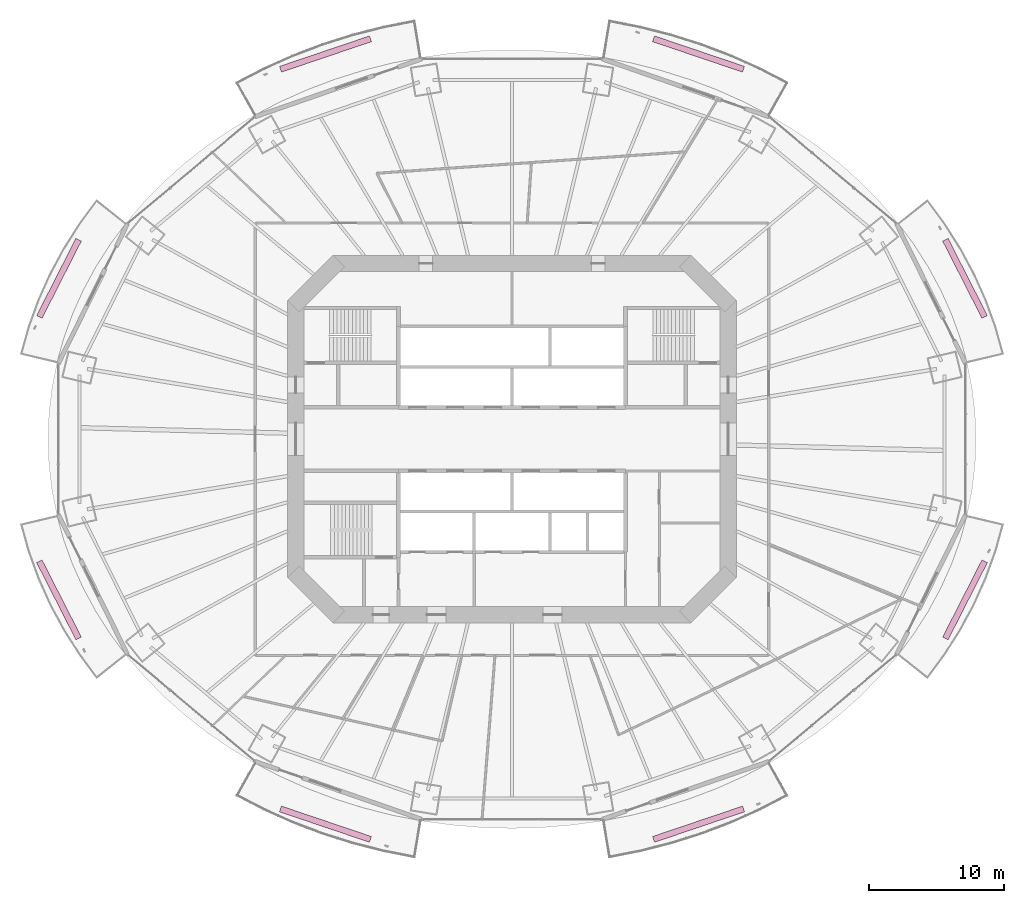
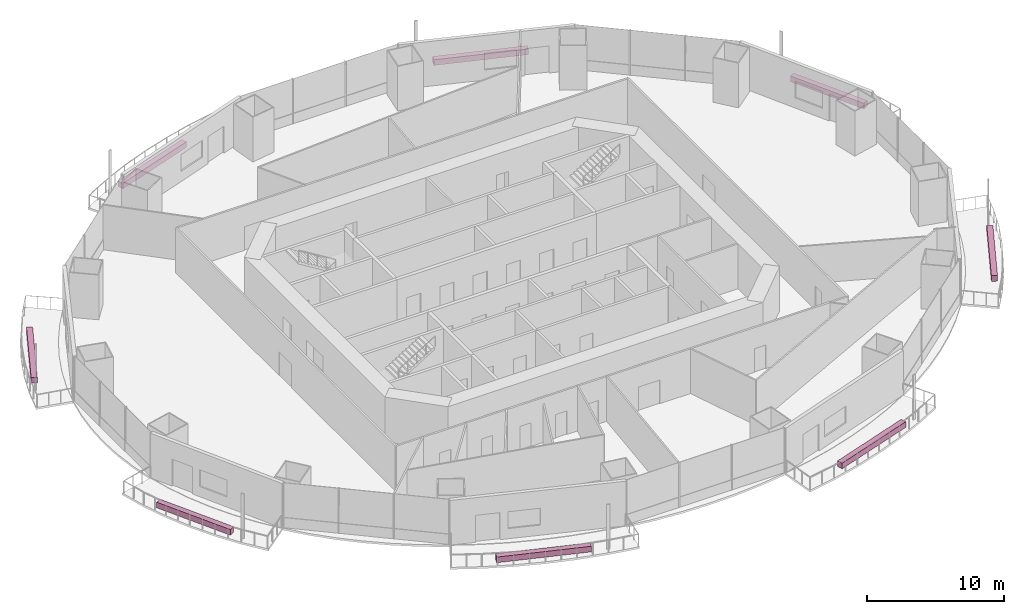
# One storey, part 22 of 22: 8 furnishings.
"""IFC4 building model written with IfcOpenShell, lengths in metres."""

from ifc_helpers import new_model, si_unit, direction, frame, origin, origin_2d, place, context, subcontext, project, spatial, rectangle, extrude, material, type_object, element, save


model = new_model("IFC4")

# Units and contexts
model_context = context("Model", 3, precision=1e-05, world=origin(), true_north=direction((0.0, 1.0)))
body_context = subcontext(model_context, "Body", "Model", "MODEL_VIEW")
ifc_project = project(units=[si_unit("LENGTHUNIT", "METRE"), si_unit("AREAUNIT", "SQUARE_METRE"), si_unit("VOLUMEUNIT", "CUBIC_METRE"), si_unit("PLANEANGLEUNIT", "RADIAN"), si_unit("MASSUNIT", "GRAM", prefix="KILO")], contexts=[model_context])

# Site, building, storey
site_placement = place(None, origin())
site = spatial("IfcSite", under=ifc_project, at=site_placement, CompositionType="ELEMENT")
building_placement = place(site_placement, origin())
building = spatial("IfcBuilding", under=site, at=building_placement, Name="Marenthal Gate Tower", CompositionType="ELEMENT")
storey_placement = place(building_placement, frame((0.0, 0.0, 107.699951171875)))
storey = spatial("IfcBuildingStorey", under=building, at=storey_placement, Name="L22", CompositionType="ELEMENT", Elevation=107.699951171875)

# Furnishings
ifc_material = material(Name="Planting soil and foliage", Category="planting")
furnishing_element_type = type_object("IfcFurnishingElementType", Name="Balcony PLANTER trough", material=ifc_material)
furnishing_1_placement = place(storey_placement, frame((33.524658203125, 11.89892578125, -0.0400390625), z_axis=(0.0, 0.0, 1.0), x_axis=(-0.453687759086, 0.891160713483, 0.0)))
element("IfcFurnishingElement", 1, at=furnishing_1_placement, inside=storey, type_object=furnishing_element_type, Name="Balcony PLANTER L22 bay 1", ObjectType="PLANTER", context=body_context, shape_type="SweptSolid", body=[
    extrude(rectangle(XDim=6.40185546875, YDim=0.449951171875, at=origin_2d()), origin(), (0.0, 0.0, 1.0), 0.5),
])
for number, where, z_axis, x_axis, name in (
    (2, (13.8046875, 28.497314453125, -0.0400390625), (0.0, 0.0, 1.0), (-0.947316140204, 0.320300063236, 0.0), "Balcony PLANTER L22 bay 3"),
    (3, (-13.8046875, 28.497314453125, -0.0400390625), (0.0, 0.0, 1.0), (-0.947316140204, -0.320300063236, 0.0), "Balcony PLANTER L22 bay 5"),
):
    element("IfcFurnishingElement", number, at=place(storey_placement, frame(where, z_axis=z_axis, x_axis=x_axis)), inside=storey, type_object=furnishing_element_type, Name=name, ObjectType="PLANTER", context=body_context, shape_type="SweptSolid", body=[
        extrude(rectangle(XDim=7.03466796875, YDim=0.449951171875, at=origin_2d()), origin(), (0.0, 0.0, 1.0), 0.5),
    ])
for number, where, z_axis, x_axis, name in (
    (4, (-33.524658203125, 11.89892578125, -0.0400390625), (0.0, 0.0, 1.0), (-0.453687759086, -0.891160713483, 0.0), "Balcony PLANTER L22 bay 7"),
    (5, (-33.524658203125, -11.89892578125, -0.0400390625), (0.0, 0.0, 1.0), (0.453687759086, -0.891160713483, 0.0), "Balcony PLANTER L22 bay 9"),
):
    element("IfcFurnishingElement", number, at=place(storey_placement, frame(where, z_axis=z_axis, x_axis=x_axis)), inside=storey, type_object=furnishing_element_type, Name=name, ObjectType="PLANTER", context=body_context, shape_type="SweptSolid", body=[
        extrude(rectangle(XDim=6.40185546875, YDim=0.449951171875, at=origin_2d()), origin(), (0.0, 0.0, 1.0), 0.5),
    ])
for number, where, z_axis, x_axis, name in (
    (6, (-13.8046875, -28.497314453125, -0.0400390625), (0.0, 0.0, 1.0), (0.947316140204, -0.320300063236, 0.0), "Balcony PLANTER L22 bay 11"),
    (7, (13.8046875, -28.497314453125, -0.0400390625), (0.0, 0.0, 1.0), (0.947316140204, 0.320300063236, 0.0), "Balcony PLANTER L22 bay 13"),
):
    element("IfcFurnishingElement", number, at=place(storey_placement, frame(where, z_axis=z_axis, x_axis=x_axis)), inside=storey, type_object=furnishing_element_type, Name=name, ObjectType="PLANTER", context=body_context, shape_type="SweptSolid", body=[
        extrude(rectangle(XDim=7.03466796875, YDim=0.449951171875, at=origin_2d()), origin(), (0.0, 0.0, 1.0), 0.5),
    ])
furnishing_2_placement = place(storey_placement, frame((33.524658203125, -11.89892578125, -0.0400390625), z_axis=(0.0, 0.0, 1.0), x_axis=(0.453687759086, 0.891160713483, 0.0)))
element("IfcFurnishingElement", 8, at=furnishing_2_placement, inside=storey, type_object=furnishing_element_type, Name="Balcony PLANTER L22 bay 15", ObjectType="PLANTER", context=body_context, shape_type="SweptSolid", body=[
    extrude(rectangle(XDim=6.40185546875, YDim=0.449951171875, at=origin_2d()), origin(), (0.0, 0.0, 1.0), 0.5),
])

save(model, "model.ifc")
